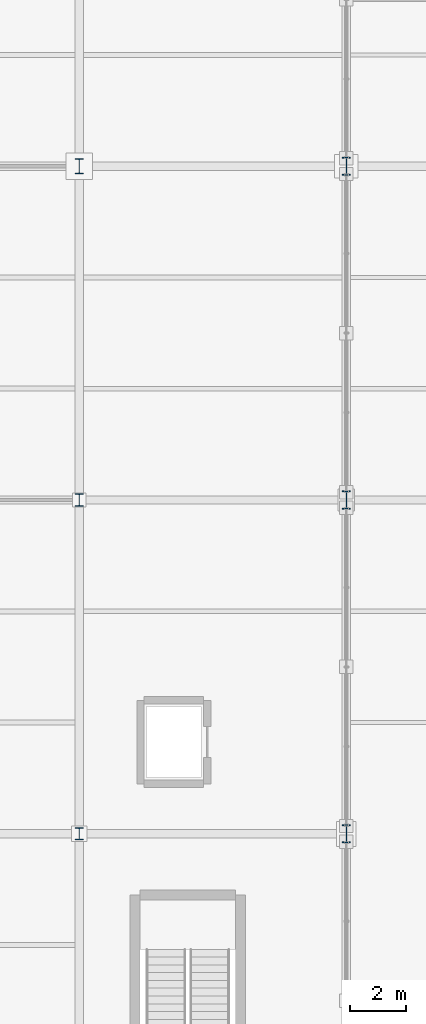
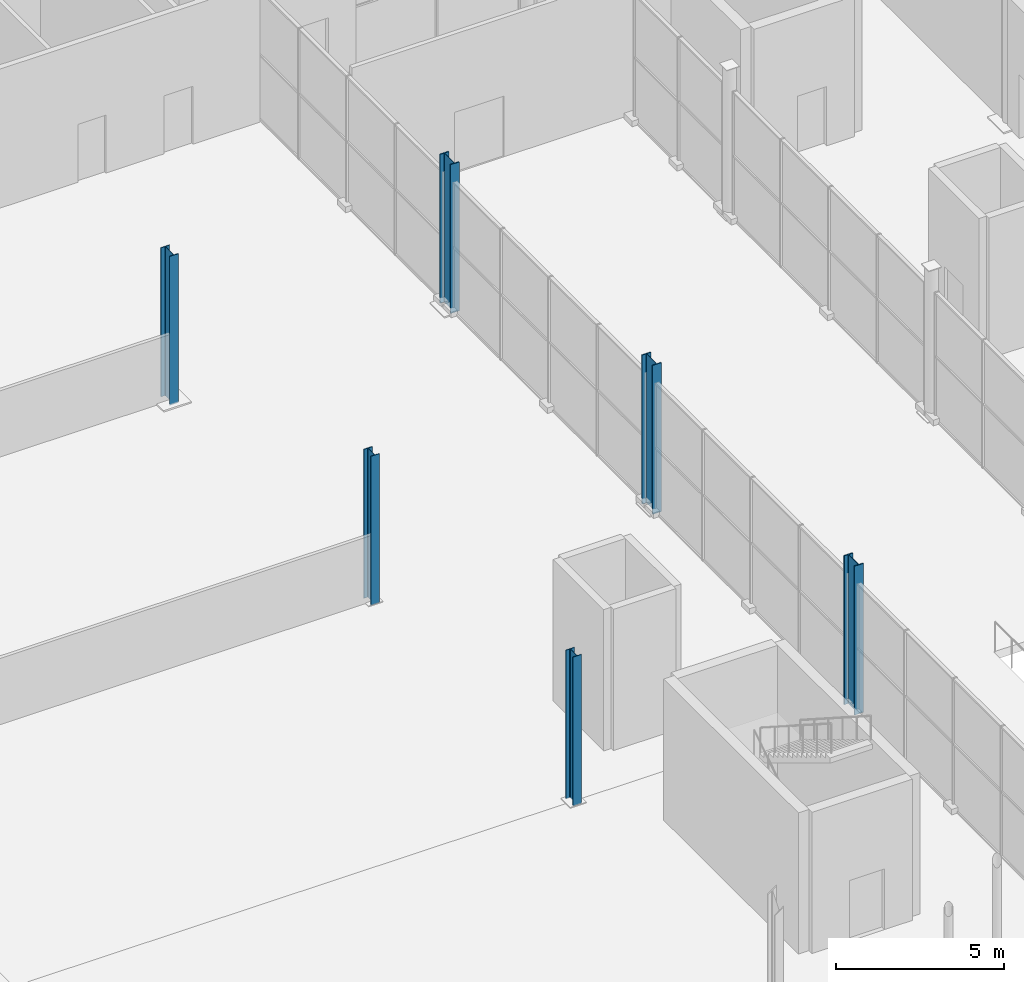
# One storey, part 10 of 196: 6 columns.
"""IFC4 building model written with IfcOpenShell, lengths in metres."""

from ifc_helpers import new_model, si_unit, direction, frame, origin, origin_2d, place, context, subcontext, project, spatial, i_section, extrude, material, material_profile, profile_set, type_object, element, save


model = new_model("IFC4")

# Units and contexts
model_context = context("Model", 3, precision=1e-05, world=origin(), true_north=direction((0.0, 1.0)))
body_context = subcontext(model_context, "Body", "Model", "MODEL_VIEW")
ifc_project = project(units=[si_unit("LENGTHUNIT", "METRE"), si_unit("AREAUNIT", "SQUARE_METRE"), si_unit("VOLUMEUNIT", "CUBIC_METRE"), si_unit("PLANEANGLEUNIT", "RADIAN"), si_unit("MASSUNIT", "GRAM", prefix="KILO")], contexts=[model_context])

# Site, building, storey
site_placement = place(None, origin())
site = spatial("IfcSite", under=ifc_project, at=site_placement, CompositionType="ELEMENT")
building_placement = place(site_placement, origin())
building = spatial("IfcBuilding", under=site, at=building_placement, Name="Merenkruunu Market Hall", CompositionType="ELEMENT")
storey_placement = place(building_placement, origin())
storey = spatial("IfcBuildingStorey", under=building, at=storey_placement, Name="L00", CompositionType="ELEMENT", Elevation=0.0)

# Columns
ifc_material_1 = material(Name="Steel S355ML", Category="steel")
ifc_material_profile_1 = material_profile(ifc_material_1, i_section(OverallWidth=0.300048828125, OverallDepth=0.64990234375, WebThickness=0.01611328125, FlangeThickness=0.031005859375, FilletRadius=0.027099609375, at=origin_2d()), Name="HEB 650")
ifc_profile_set_1 = profile_set([ifc_material_profile_1], Name="Steel S355ML")
column_type_1 = type_object("IfcColumnType", Name="Structural Column C01", PredefinedType="COLUMN", material=ifc_profile_set_1)
for number, where, z_axis, x_axis, name in (
    (1, (57.60009765625, 63.60009765625, 0.0), (0.0, 0.0, 1.0), (1.0, 0.0, 0.0), "COL-L00-G-08"),
    (2, (57.60009765625, 75.60009765625, 0.0), (0.0, 0.0, 1.0), (1.0, 0.0, 0.0), "COL-L00-G-09"),
    (3, (57.60009765625, 87.60009765625, 0.0), (0.0, 0.0, 1.0), (1.0, 0.0, 0.0), "COL-L00-G-10"),
):
    element("IfcColumn", number, at=place(storey_placement, frame(where, z_axis=z_axis, x_axis=x_axis)), inside=storey, type_object=column_type_1, Name=name, PredefinedType="COLUMN", context=body_context, shape_type="SweptSolid", body=[
        extrude(i_section(OverallWidth=0.300048828125, OverallDepth=0.64990234375, WebThickness=0.01611328125, FlangeThickness=0.031005859375, FilletRadius=0.027099609375, at=origin_2d()), origin(), (0.0, 0.0, 1.0), 5.39990234375),
    ])
ifc_material_2 = material(Name="Steel S355J2", Category="steel")
ifc_material_profile_2 = material_profile(ifc_material_2, i_section(OverallWidth=0.300048828125, OverallDepth=0.5400390625, WebThickness=0.012451171875, FlangeThickness=0.02392578125, FilletRadius=0.027099609375, at=origin_2d()), Name="HEA 550")
ifc_profile_set_2 = profile_set([ifc_material_profile_2], Name="Steel S355J2")
column_type_2 = type_object("IfcColumnType", Name="Structural Column C06", PredefinedType="COLUMN", material=ifc_profile_set_2)
column_placement = place(storey_placement, frame((48.0, 87.60009765625, 0.0), z_axis=(0.0, 0.0, 1.0), x_axis=(1.0, 0.0, 0.0)))
element("IfcColumn", 4, at=column_placement, inside=storey, type_object=column_type_2, Name="COL-L00-F-10", PredefinedType="COLUMN", context=body_context, shape_type="SweptSolid", body=[
    extrude(i_section(OverallWidth=0.300048828125, OverallDepth=0.5400390625, WebThickness=0.012451171875, FlangeThickness=0.02392578125, FilletRadius=0.027099609375, at=origin_2d()), origin(), (0.0, 0.0, 1.0), 5.39990234375),
])
ifc_material_profile_3 = material_profile(ifc_material_2, i_section(OverallWidth=0.300048828125, OverallDepth=0.43994140625, WebThickness=0.011474609375, FlangeThickness=0.02099609375, FilletRadius=0.027099609375, at=origin_2d()), Name="HEA 450")
ifc_profile_set_3 = profile_set([ifc_material_profile_3], Name="Steel S355J2")
column_type_3 = type_object("IfcColumnType", Name="Structural Column C07", PredefinedType="COLUMN", material=ifc_profile_set_3)
for number, where, z_axis, x_axis, name in (
    (5, (48.0, 63.60009765625, 0.0), (0.0, 0.0, 1.0), (1.0, 0.0, 0.0), "COL-L00-F-08"),
    (6, (48.0, 75.60009765625, 0.0), (0.0, 0.0, 1.0), (1.0, 0.0, 0.0), "COL-L00-F-09"),
):
    element("IfcColumn", number, at=place(storey_placement, frame(where, z_axis=z_axis, x_axis=x_axis)), inside=storey, type_object=column_type_3, Name=name, PredefinedType="COLUMN", context=body_context, shape_type="SweptSolid", body=[
        extrude(i_section(OverallWidth=0.300048828125, OverallDepth=0.43994140625, WebThickness=0.011474609375, FlangeThickness=0.02099609375, FilletRadius=0.027099609375, at=origin_2d()), origin(), (0.0, 0.0, 1.0), 5.39990234375),
    ])

save(model, "model.ifc")
